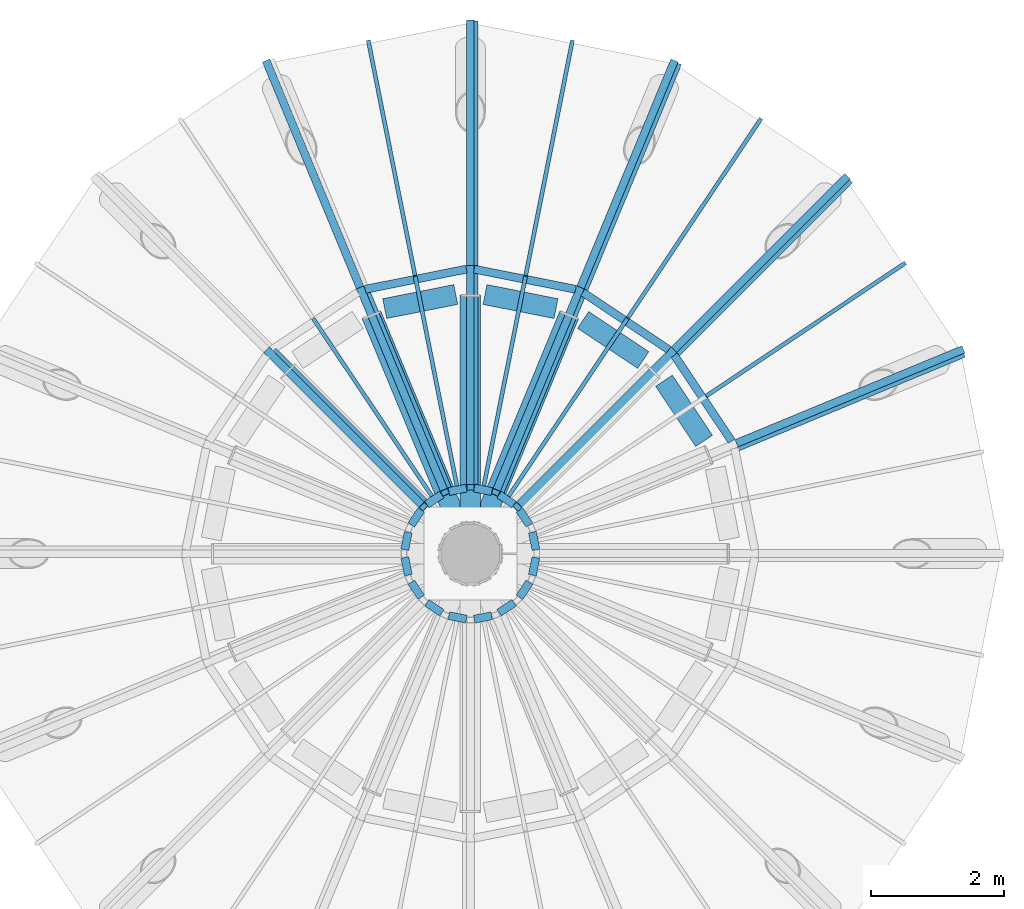
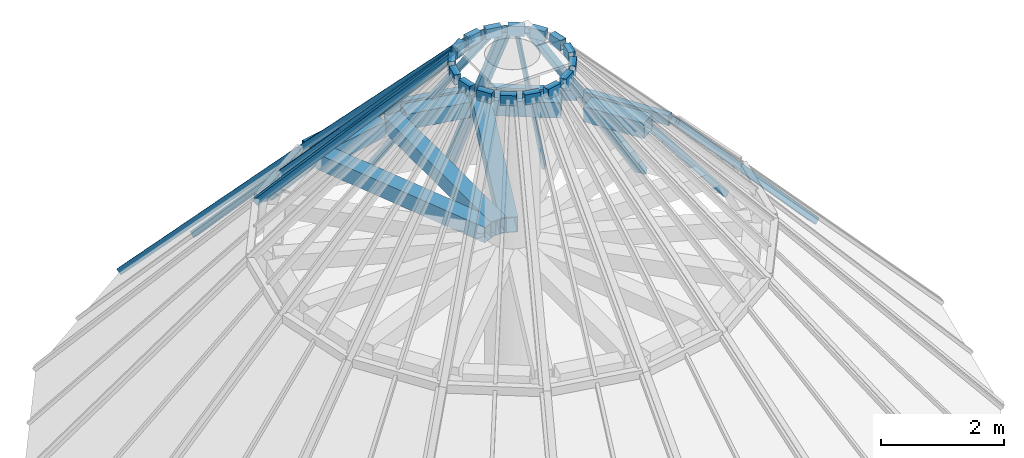
# One storey, part 3 of 5: 53 members, 22 elements without a shape of their own.
"""IFC4 building model written with IfcOpenShell, lengths in metres."""

import ifcopenshell
import ifcopenshell.guid

model = None  # the IFC model being written
_history = None  # IfcOwnerHistory: only IFC2X3 demands one
_inside = {}  # id of a spatial element -> (the spatial element, [elements in it])
_under = {}  # id of a project, library or spatial element -> (it, [spatial elements below it])
_declared = {}  # id of a project -> (the project, [libraries it declares])
_typed = {}  # id of a type object -> (the type object, [elements of that type])
_made_of = {}  # id of a material, layer set ... -> (it, [elements and type objects made of it])


def new_model(schema):
    """Start an empty IFC model of exactly this schema.

    Asked for "IFC4X3", IfcOpenShell would pick the latest addendum, in which some entities
    have other attributes; the version numbers below select the first issue.
    IFC2X3 requires an IfcOwnerHistory on every rooted entity: one is made here for all.
    """
    global model, _history
    if schema == "IFC4X3":
        model = ifcopenshell.file(schema_version=(4, 3, 0, 0))
    else:
        model = ifcopenshell.file(schema=schema)
    _inside.clear()
    _under.clear()
    _declared.clear()
    _typed.clear()
    _made_of.clear()
    _history = None
    if model.schema == "IFC2X3":
        org = make("IfcOrganization", Name="unknown")
        user = make(
            "IfcPersonAndOrganization",
            ThePerson=make("IfcPerson", FamilyName="unknown"),
            TheOrganization=org,
        )
        app = make(
            "IfcApplication",
            ApplicationDeveloper=org,
            Version="unknown",
            ApplicationFullName="unknown",
            ApplicationIdentifier="unknown",
        )
        _history = make(
            "IfcOwnerHistory",
            OwningUser=user,
            OwningApplication=app,
            ChangeAction="ADDED",
            CreationDate=0,
        )
    return model


def make(cls, **values):
    """One entity of the class cls with the attributes given. An attribute that is None is left unset."""
    return model.create_entity(
        cls, **{name: value for name, value in values.items() if value is not None}
    )


def rooted(cls, **values):
    """An entity with a GlobalId (a new one), such as an element, a storey or a relation."""
    return make(cls, GlobalId=ifcopenshell.guid.new(), OwnerHistory=_history, **values)


def si_unit(unit_type, name, prefix=None):
    """IfcSIUnit, for example si_unit("LENGTHUNIT", "METRE", prefix="MILLI")."""
    return make("IfcSIUnit", UnitType=unit_type, Prefix=prefix, Name=name)


def assignment(units):
    """IfcUnitAssignment: the units of a project."""
    return None if units is None else make("IfcUnitAssignment", Units=units)


def point(xyz):
    """IfcCartesianPoint."""
    return None if xyz is None else make("IfcCartesianPoint", Coordinates=xyz)


def direction(xyz):
    """IfcDirection."""
    return None if xyz is None else make("IfcDirection", DirectionRatios=xyz)


def frame(location, z_axis=None, x_axis=None):
    """IfcAxis2Placement3D, a coordinate frame: its origin and axes. An axis left out is left unset."""
    return make(
        "IfcAxis2Placement3D",
        Location=point(location),
        Axis=direction(z_axis),
        RefDirection=direction(x_axis),
    )


def frame_2d(location, x_axis=None):
    """IfcAxis2Placement2D, a coordinate frame in the plane: its origin and x axis."""
    return make(
        "IfcAxis2Placement2D", Location=point(location), RefDirection=direction(x_axis)
    )


def origin():
    """The frame at (0, 0, 0) with its axes left unset."""
    return frame((0.0, 0.0, 0.0))


def origin_2d():
    """The frame at (0, 0) in the plane with its x axis left unset."""
    return frame_2d((0.0, 0.0))


def place(relative_to, where):
    """IfcLocalPlacement: puts the frame where relative to a parent placement (None: the world)."""
    return make(
        "IfcLocalPlacement", PlacementRelTo=relative_to, RelativePlacement=where
    )


def context(
    kind, dimensions, precision=None, world=None, true_north=None, identifier=None
):
    """IfcGeometricRepresentationContext, for example the 3D "Model" context."""
    return make(
        "IfcGeometricRepresentationContext",
        ContextIdentifier=identifier,
        ContextType=kind,
        CoordinateSpaceDimension=dimensions,
        Precision=precision,
        WorldCoordinateSystem=world,
        TrueNorth=true_north,
    )


def subcontext(parent, identifier, kind, view, scale=None):
    """IfcGeometricRepresentationSubContext, for example "Body" below "Model"."""
    return make(
        "IfcGeometricRepresentationSubContext",
        ContextIdentifier=identifier,
        ContextType=kind,
        ParentContext=parent,
        TargetScale=scale,
        TargetView=view,
    )


def project(units=None, contexts=None):
    """IfcProject with its units and contexts."""
    return rooted(
        "IfcProject",
        Name="project",
        RepresentationContexts=contexts,
        UnitsInContext=assignment(units),
    )


def spatial(cls, under=None, at=None, **own):
    """A site, building, storey or space (cls), placed at a placement, below another one or the project."""
    s = rooted(cls, ObjectPlacement=at, **own)
    if under is not None:
        _under.setdefault(under.id(), (under, []))[1].append(s)
    return s


def profile(cls, at=None, kind="AREA", **sizes):
    """A parametric profile (cls). Its sizes go by their IFC names, for example OverallWidth=200.0."""
    return make(cls, ProfileType=kind, Position=at, **sizes)


def rectangle(**sizes):
    """IfcRectangleProfileDef."""
    return profile("IfcRectangleProfileDef", **sizes)


def hollow_rectangle(**sizes):
    """IfcRectangleHollowProfileDef."""
    return profile("IfcRectangleHollowProfileDef", **sizes)


def extrude(swept, where, along, depth):
    """IfcExtrudedAreaSolid: the profile swept, set in the frame where, extruded along a direction by depth."""
    return make(
        "IfcExtrudedAreaSolid",
        SweptArea=swept,
        Position=where,
        ExtrudedDirection=direction(along),
        Depth=depth,
    )


def shape(context_of_items, identifier, shape_type, items):
    """IfcShapeRepresentation: the items that make up one representation, for example the "Body"."""
    return make(
        "IfcShapeRepresentation",
        ContextOfItems=context_of_items,
        RepresentationIdentifier=identifier,
        RepresentationType=shape_type,
        Items=items,
    )


def material(Name=None, Category=None):
    """IfcMaterial."""
    return make("IfcMaterial", Name=Name, Category=Category)


def material_profile(
    of_material, cross_section, Name=None, Category=None, Priority=None
):
    """IfcMaterialProfile: a cross section and its material."""
    return make(
        "IfcMaterialProfile",
        Name=Name,
        Material=of_material,
        Profile=cross_section,
        Priority=Priority,
        Category=Category,
    )


def profile_set(profiles, Name=None, composite=None):
    """IfcMaterialProfileSet."""
    return make(
        "IfcMaterialProfileSet",
        Name=Name,
        MaterialProfiles=profiles,
        CompositeProfile=composite,
    )


def made_of(thing, what):
    """Note that an element or type object is made of a material, layer set ...; save() writes the relation."""
    if what is not None:
        _made_of.setdefault(what.id(), (what, []))[1].append(thing)
    return thing


def type_object(cls, material=None, **own):
    """A type object (cls), such as IfcWallType, which elements share."""
    return made_of(rooted(cls, **own), material)


def element(
    cls,
    number,
    at=None,
    inside=None,
    cuts=None,
    type_object=None,
    material=None,
    context=None,
    identifier="Body",
    shape_type=None,
    held_by="IfcProductDefinitionShape",
    body=None,
    shapes=None,
    **own,
):
    """One element of the class cls, such as IfcWall. Its Tag is "e" and its number.

    at: its placement. inside: the storey or other place that contains it. cuts: it is an
    opening in that element (IfcRelVoidsElement). A single representation is given by context,
    identifier, shape_type and body (its items); several are given by shapes. held_by: the class
    of the entity that holds the representations. save() writes the other relations.
    """
    e = rooted(cls, Tag="e%d" % number, ObjectPlacement=at, **own)
    if body is not None:
        shapes = [shape(context, identifier, shape_type, body)]
    if shapes is not None:
        e.Representation = make(held_by, Representations=shapes)
    if inside is not None:
        _inside.setdefault(inside.id(), (inside, []))[1].append(e)
    if cuts is not None:
        rooted(
            "IfcRelVoidsElement", RelatingBuildingElement=cuts, RelatedOpeningElement=e
        )
    if type_object is not None:
        _typed.setdefault(type_object.id(), (type_object, []))[1].append(e)
    return made_of(e, material)


def aggregate(whole, parts):
    """IfcRelAggregates: a whole, such as a stair, and the parts it consists of."""
    return rooted("IfcRelAggregates", RelatingObject=whole, RelatedObjects=parts)


def save(model, path):
    """Write the relations noted so far, then the file.

    IfcRelAggregates (storeys below a building ...), IfcRelContainedInSpatialStructure (elements
    in a storey), IfcRelDefinesByType, IfcRelAssociatesMaterial and IfcRelDeclares: one each for
    every whole, place, type object, material and project.
    """
    for whole, parts in _under.values():
        aggregate(whole, parts)
    for where, things in _inside.values():
        rooted(
            "IfcRelContainedInSpatialStructure",
            RelatedElements=things,
            RelatingStructure=where,
        )
    for kind, things in _typed.values():
        rooted("IfcRelDefinesByType", RelatedObjects=things, RelatingType=kind)
    for what, things in _made_of.values():
        rooted("IfcRelAssociatesMaterial", RelatedObjects=things, RelatingMaterial=what)
    for by, libraries in _declared.values():
        rooted("IfcRelDeclares", RelatingContext=by, RelatedDefinitions=libraries)
    model.write(path)


model = new_model("IFC4")

# Units and contexts
model_context = context("Model", 3, precision=1e-05, world=origin(), true_north=direction((0.0, 1.0)))
body_context = subcontext(model_context, "Body", "Model", "MODEL_VIEW")
ifc_project = project(units=[si_unit("LENGTHUNIT", "METRE"), si_unit("AREAUNIT", "SQUARE_METRE"), si_unit("VOLUMEUNIT", "CUBIC_METRE"), si_unit("PLANEANGLEUNIT", "RADIAN"), si_unit("MASSUNIT", "GRAM", prefix="KILO")], contexts=[model_context])

# Site, building, storey
site_placement = place(None, origin())
site = spatial("IfcSite", under=ifc_project, at=site_placement, CompositionType="ELEMENT")
building_placement = place(site_placement, origin())
building = spatial("IfcBuilding", under=site, at=building_placement, Name="Corvane Civic Tower", CompositionType="ELEMENT")
storey_placement = place(building_placement, frame((0.0, 0.0, 410.5)))
storey = spatial("IfcBuildingStorey", under=building, at=storey_placement, Name="Upper roof", CompositionType="ELEMENT", Elevation=410.5)

# Members
ifc_material_1 = material(Name="Steel ASTM A500 Gr C", Category="steel")
ifc_material_profile_1 = material_profile(ifc_material_1, hollow_rectangle(XDim=0.3046875, YDim=0.3046875, WallThickness=0.01171875, at=origin_2d()), Name="HSS12X12X1/2")
ifc_profile_set_1 = profile_set([ifc_material_profile_1], Name="Steel ASTM A500 Gr C")
member_type_1 = type_object("IfcMemberType", Name="CROWN HUB STRUT HSS12X12X1/2", PredefinedType="BRACE", material=ifc_profile_set_1)
for number, where, z_axis, x_axis, name in (
    (1, (0.0, 3.89990234375, 4.0), (0.0, -1.0, 0.0), (1.0, 0.0, 0.0), "Crown hub strut"),
    (2, (1.492431640625, 3.60302734375, 4.0), (-0.382697233288, -0.923873815861, 0.0), (0.923873815861, -0.382697233288, 0.0), "Crown hub strut"),
    (3, (-1.492431640625, 3.60302734375, 4.0), (0.382697233288, -0.923873815861, 0.0), (0.923873815861, 0.382697233288, 0.0), "Crown hub strut"),
):
    element("IfcMember", number, at=place(storey_placement, frame(where, z_axis=z_axis, x_axis=x_axis)), inside=storey, type_object=member_type_1, Name=name, PredefinedType="BRACE", context=body_context, shape_type="SweptSolid", body=[
        extrude(hollow_rectangle(XDim=0.3046875, YDim=0.3046875, WallThickness=0.01171875, at=origin_2d()), origin(), (0.0, 0.0, 1.0), 3.453857421875),
    ])
ifc_material_2 = material(Name="Steel ASTM A500 Gr C", Category="steel")
ifc_material_profile_2 = material_profile(ifc_material_2, hollow_rectangle(XDim=0.3046875, YDim=0.3046875, WallThickness=0.01171875, at=origin_2d()), Name="HSS12X12X1/2")
ifc_profile_set_2 = profile_set([ifc_material_profile_2], Name="Steel ASTM A500 Gr C")
member_type_2 = type_object("IfcMemberType", Name="CROWN RING CHORD HSS12X12X1/2", PredefinedType="CHORD", material=ifc_profile_set_2)
for number, where, z_axis, x_axis, name in (
    (4, (0.220703125, 3.906005859375, 4.0), (0.980829426135, -0.194868255055, 0.0), (0.194868255055, 0.980829426135, 0.0), "Crown compression ring"),
    (5, (1.69873046875, 3.5244140625, 4.0), (0.831361269695, -0.555732344974, 0.0), (0.555732344974, 0.831361269695, 0.0), "Crown compression ring"),
    (6, (2.91796875, 2.60595703125, 4.0), (0.555732344974, -0.831361269695, 0.0), (0.831361269695, 0.555732344974, 0.0), "Crown compression ring"),
    (7, (-1.291015625, 3.693359375, 4.0), (0.980829426135, 0.194868255055, 0.0), (-0.194868255055, 0.980829426135, 0.0), "Crown compression ring"),
):
    element("IfcMember", number, at=place(storey_placement, frame(where, z_axis=z_axis, x_axis=x_axis)), inside=storey, type_object=member_type_2, Name=name, PredefinedType="CHORD", context=body_context, shape_type="SweptSolid", body=[
        extrude(hollow_rectangle(XDim=0.3046875, YDim=0.3046875, WallThickness=0.01171875, at=origin_2d()), origin(), (0.0, 0.0, 1.0), 1.09130859375),
    ])

# Curtain wall, member
ifc_material_3 = material(Name="Aluminium and glass", Category="aluminium")
curtain_wall_type = type_object("IfcCurtainWallType", Name="CROWN-CW-K-FACET", PredefinedType="NOTDEFINED", material=ifc_material_3)
curtain_wall_1_placement = place(storey_placement, origin())
curtain_wall_1 = element("IfcCurtainWall", 8, at=curtain_wall_1_placement, inside=storey, type_object=curtain_wall_type, Name="Glass cone facet 1 row 7", PredefinedType="NOTDEFINED")
ifc_material_4 = material(Name="Anodised aluminium bronze", Category="aluminium")
ifc_material_profile_3 = material_profile(ifc_material_4, rectangle(XDim=0.06005859375, YDim=0.1201171875, at=origin_2d()), Name="AL 60x120")
ifc_profile_set_3 = profile_set([ifc_material_profile_3], Name="Anodised aluminium bronze")
member_type_3 = type_object("IfcMemberType", Name="CROWN-CWK-MULLION-AL60x120", PredefinedType="MULLION", material=ifc_profile_set_3)
member_1_placement = place(storey_placement, frame((-0.82275390625, 4.136474609375, 4.0), z_axis=(0.132435043802, -0.665913717929, 0.734179732387), x_axis=(0.98079188292, 0.195057125989, 0.0)))
member_1 = element("IfcMember", 9, at=member_1_placement, type_object=member_type_3, Name="Cone mullion 1.7M", PredefinedType="MULLION", context=body_context, shape_type="SweptSolid", body=[
    extrude(rectangle(XDim=0.06005859375, YDim=0.1201171875, at=origin_2d()), origin(), (0.0, 0.0, 1.0), 4.767333984375),
])

curtain_wall_2_placement = place(storey_placement, origin())
curtain_wall_2 = element("IfcCurtainWall", 10, at=curtain_wall_2_placement, inside=storey, type_object=curtain_wall_type, Name="Glass cone facet 2 row 7", PredefinedType="NOTDEFINED")
member_2_placement = place(storey_placement, frame((-2.343017578125, 3.506591796875, 4.0), z_axis=(0.37718643347, -0.564524922762, 0.734194801117), x_axis=(0.831481219823, 0.555552860745, 0.0)))
member_2 = element("IfcMember", 11, at=member_2_placement, type_object=member_type_3, Name="Cone mullion 2.7M", PredefinedType="MULLION", context=body_context, shape_type="SweptSolid", body=[
    extrude(rectangle(XDim=0.06005859375, YDim=0.1201171875, at=origin_2d()), origin(), (0.0, 0.0, 1.0), 4.76708984375),
])

curtain_wall_3_placement = place(storey_placement, origin())
curtain_wall_3 = element("IfcCurtainWall", 12, at=curtain_wall_3_placement, inside=storey, type_object=curtain_wall_type, Name="Glass cone facet 15 row 7", PredefinedType="NOTDEFINED")
member_3_placement = place(storey_placement, frame((2.343017578125, 3.506591796875, 4.0), z_axis=(-0.37718643347, -0.564524922762, 0.734194801117), x_axis=(0.831481219823, -0.555552860745, 0.0)))
member_3 = element("IfcMember", 13, at=member_3_placement, type_object=member_type_3, Name="Cone mullion 15.7M", PredefinedType="MULLION", context=body_context, shape_type="SweptSolid", body=[
    extrude(rectangle(XDim=0.06005859375, YDim=0.1201171875, at=origin_2d()), origin(), (0.0, 0.0, 1.0), 4.76708984375),
])

curtain_wall_4_placement = place(storey_placement, origin())
curtain_wall_4 = element("IfcCurtainWall", 14, at=curtain_wall_4_placement, inside=storey, type_object=curtain_wall_type, Name="Glass cone facet 16 row 7", PredefinedType="NOTDEFINED")
member_4_placement = place(storey_placement, frame((0.82275390625, 4.136474609375, 4.0), z_axis=(-0.132435043802, -0.665913717929, 0.734179732387), x_axis=(0.98079188292, -0.195057125989, 0.0)))
member_4 = element("IfcMember", 15, at=member_4_placement, type_object=member_type_3, Name="Cone mullion 16.7M", PredefinedType="MULLION", context=body_context, shape_type="SweptSolid", body=[
    extrude(rectangle(XDim=0.06005859375, YDim=0.1201171875, at=origin_2d()), origin(), (0.0, 0.0, 1.0), 4.767333984375),
])

curtain_wall_5_placement = place(storey_placement, origin())
curtain_wall_5 = element("IfcCurtainWall", 16, at=curtain_wall_5_placement, inside=storey, type_object=curtain_wall_type, Name="Glass cone facet 1 row 6", PredefinedType="NOTDEFINED")
ifc_material_5 = material(Name="Steel ASTM A500 Gr C", Category="steel")
ifc_material_profile_4 = material_profile(ifc_material_5, hollow_rectangle(XDim=0.06005859375, YDim=0.1201171875, WallThickness=0.0048828125, at=origin_2d()), Name="RHS 120x60x5")
ifc_profile_set_4 = profile_set([ifc_material_profile_4], Name="Steel ASTM A500 Gr C")
member_type_4 = type_object("IfcMemberType", Name="CROWN-CWK-MULLION-RHS120x60x5", PredefinedType="MULLION", material=ifc_profile_set_4)
member_5_placement = place(storey_placement, frame((-1.53076171875, 7.695556640625, 0.0), z_axis=(0.131093812329, -0.658995033147, 0.740634834893), x_axis=(0.980781991071, 0.195106857875, 0.0)))
member_5 = element("IfcMember", 17, at=member_5_placement, type_object=member_type_4, Name="Cone mullion 1.6M", PredefinedType="MULLION", context=body_context, shape_type="SweptSolid", body=[
    extrude(hollow_rectangle(XDim=0.06005859375, YDim=0.1201171875, WallThickness=0.0048828125, at=origin_2d()), origin(), (0.0, 0.0, 1.0), 5.40087890625),
])

curtain_wall_6_placement = place(storey_placement, origin())
curtain_wall_6 = element("IfcCurtainWall", 18, at=curtain_wall_6_placement, inside=storey, type_object=curtain_wall_type, Name="Glass cone facet 13 row 6", PredefinedType="NOTDEFINED")
member_6_placement = place(storey_placement, frame((7.40869140625, 2.973388671875, 0.0), z_axis=(-0.627354519135, -0.259911695865, 0.734079163084), x_axis=(0.382749981687, -0.923851964071, 0.0)))
member_6 = element("IfcMember", 19, at=member_6_placement, type_object=member_type_4, Name="Cone mullion 13.6J", PredefinedType="MULLION", context=body_context, shape_type="SweptSolid", body=[
    extrude(hollow_rectangle(XDim=0.06005859375, YDim=0.1201171875, WallThickness=0.0048828125, at=origin_2d()), origin(), (0.0, 0.0, 1.0), 5.448974609375),
])
aggregate(curtain_wall_6, [member_6])

# Curtain wall, members
curtain_wall_7_placement = place(storey_placement, origin())
curtain_wall_7 = element("IfcCurtainWall", 20, at=curtain_wall_7_placement, inside=storey, type_object=curtain_wall_type, Name="Glass cone facet 14 row 6", PredefinedType="NOTDEFINED")
member_7_placement = place(storey_placement, frame((6.52392578125, 4.359130859375, 0.0), z_axis=(-0.55867917926, -0.373296598619, 0.740626237802), x_axis=(0.55556931275, -0.831470227207, 0.0)))
member_7 = element("IfcMember", 21, at=member_7_placement, type_object=member_type_4, Name="Cone mullion 14.6M", PredefinedType="MULLION", context=body_context, shape_type="SweptSolid", body=[
    extrude(hollow_rectangle(XDim=0.06005859375, YDim=0.1201171875, WallThickness=0.0048828125, at=origin_2d()), origin(), (0.0, 0.0, 1.0), 5.40087890625),
])
member_8_placement = place(storey_placement, frame((5.706787109375, 5.581787109375, 0.0), z_axis=(-0.480157196441, -0.480112388939, 0.734126120427), x_axis=(0.70707378584, -0.707139774994, 0.0)))
member_8 = element("IfcMember", 22, at=member_8_placement, type_object=member_type_4, Name="Cone mullion 14.6J", PredefinedType="MULLION", context=body_context, shape_type="SweptSolid", body=[
    extrude(hollow_rectangle(XDim=0.06005859375, YDim=0.1201171875, WallThickness=0.0048828125, at=origin_2d()), origin(), (0.0, 0.0, 1.0), 5.44873046875),
])

curtain_wall_8_placement = place(storey_placement, origin())
curtain_wall_8 = element("IfcCurtainWall", 23, at=curtain_wall_8_placement, inside=storey, type_object=curtain_wall_type, Name="Glass cone facet 15 row 6", PredefinedType="NOTDEFINED")
member_9_placement = place(storey_placement, frame((4.359130859375, 6.52392578125, 0.0), z_axis=(-0.373296598619, -0.55867917926, 0.740626237802), x_axis=(0.831470227207, -0.55556931275, 0.0)))
member_9 = element("IfcMember", 24, at=member_9_placement, type_object=member_type_4, Name="Cone mullion 15.6M", PredefinedType="MULLION", context=body_context, shape_type="SweptSolid", body=[
    extrude(hollow_rectangle(XDim=0.06005859375, YDim=0.1201171875, WallThickness=0.0048828125, at=origin_2d()), origin(), (0.0, 0.0, 1.0), 5.40087890625),
])
member_10_placement = place(storey_placement, frame((3.136474609375, 7.341064453125, 0.0), z_axis=(-0.259911695865, -0.627354519135, 0.734079163084), x_axis=(0.923851964071, -0.382749981687, 0.0)))
member_10 = element("IfcMember", 25, at=member_10_placement, type_object=member_type_4, Name="Cone mullion 15.6J", PredefinedType="MULLION", context=body_context, shape_type="SweptSolid", body=[
    extrude(hollow_rectangle(XDim=0.06005859375, YDim=0.1201171875, WallThickness=0.0048828125, at=origin_2d()), origin(), (0.0, 0.0, 1.0), 5.448974609375),
])

curtain_wall_9_placement = place(storey_placement, origin())
curtain_wall_9 = element("IfcCurtainWall", 26, at=curtain_wall_9_placement, inside=storey, type_object=curtain_wall_type, Name="Glass cone facet 16 row 6", PredefinedType="NOTDEFINED")
member_11_placement = place(storey_placement, frame((1.53076171875, 7.695556640625, 0.0), z_axis=(-0.131093812329, -0.658995033147, 0.740634834893), x_axis=(0.980781991071, -0.195106857875, 0.0)))
member_11 = element("IfcMember", 27, at=member_11_placement, type_object=member_type_4, Name="Cone mullion 16.6M", PredefinedType="MULLION", context=body_context, shape_type="SweptSolid", body=[
    extrude(hollow_rectangle(XDim=0.06005859375, YDim=0.1201171875, WallThickness=0.0048828125, at=origin_2d()), origin(), (0.0, 0.0, 1.0), 5.40087890625),
])
member_12_placement = place(storey_placement, frame((0.08837890625, 7.982421875, 0.0), z_axis=(0.0, -0.679037152378, 0.734103906603), x_axis=(1.0, 0.0, 0.0)))
member_12 = element("IfcMember", 28, at=member_12_placement, type_object=member_type_4, Name="Cone mullion 16.6J", PredefinedType="MULLION", context=body_context, shape_type="SweptSolid", body=[
    extrude(hollow_rectangle(XDim=0.06005859375, YDim=0.1201171875, WallThickness=0.0048828125, at=origin_2d()), origin(), (0.0, 0.0, 1.0), 5.44873046875),
])

# Member
member_13_placement = place(storey_placement, frame((-1.55712890625, 3.990234375, 4.0), z_axis=(0.262541154367, -0.633793530974, 0.727583605065), x_axis=(0.92387165845, 0.382702441477, 0.0)))
member_13 = element("IfcMember", 29, at=member_13_placement, type_object=member_type_4, Name="Cone mullion 1.7J", PredefinedType="MULLION", context=body_context, shape_type="SweptSolid", body=[
    extrude(hollow_rectangle(XDim=0.06005859375, YDim=0.1201171875, WallThickness=0.0048828125, at=origin_2d()), origin(), (0.0, 0.0, 1.0), 4.810546875),
])

member_14_placement = place(storey_placement, frame((-2.9658203125, 3.090576171875, 4.0), z_axis=(0.485127970468, -0.485077219556, 0.727565078421), x_axis=(0.707069791843, 0.707143768595, 0.0)))
member_14 = element("IfcMember", 30, at=member_14_placement, type_object=member_type_4, Name="Cone mullion 2.7J", PredefinedType="MULLION", context=body_context, shape_type="SweptSolid", body=[
    extrude(hollow_rectangle(XDim=0.06005859375, YDim=0.1201171875, WallThickness=0.0048828125, at=origin_2d()), origin(), (0.0, 0.0, 1.0), 4.810546875),
])

member_15_placement = place(storey_placement, frame((1.72021484375, 3.922607421875, 4.0), z_axis=(-0.262493899458, -0.633801975336, 0.72759329904), x_axis=(0.923897814256, -0.382639293348, 0.0)))
member_15 = element("IfcMember", 31, at=member_15_placement, type_object=member_type_4, Name="Cone mullion 15.7J", PredefinedType="MULLION", context=body_context, shape_type="SweptSolid", body=[
    extrude(hollow_rectangle(XDim=0.06005859375, YDim=0.1201171875, WallThickness=0.0048828125, at=origin_2d()), origin(), (0.0, 0.0, 1.0), 4.810302734375),
])

member_16_placement = place(storey_placement, frame((0.08837890625, 4.282470703125, 4.0), z_axis=(0.0, -0.686018242181, 0.727584339713), x_axis=(1.0, 0.0, 0.0)))
member_16 = element("IfcMember", 32, at=member_16_placement, type_object=member_type_4, Name="Cone mullion 16.7J", PredefinedType="MULLION", context=body_context, shape_type="SweptSolid", body=[
    extrude(hollow_rectangle(XDim=0.06005859375, YDim=0.1201171875, WallThickness=0.0048828125, at=origin_2d()), origin(), (0.0, 0.0, 1.0), 4.810546875),
])

ifc_material_6 = material(Name="Steel ASTM A500 Gr C", Category="steel")
ifc_material_profile_5 = material_profile(ifc_material_6, hollow_rectangle(XDim=0.1201171875, YDim=0.1201171875, WallThickness=0.006103515625, at=origin_2d()), Name="RHS 120x120x6")
ifc_profile_set_5 = profile_set([ifc_material_profile_5], Name="Steel ASTM A500 Gr C")
member_type_5 = type_object("IfcMemberType", Name="CROWN-CWK-RIB-RHS120x120x6", PredefinedType="MULLION", material=ifc_profile_set_5)
member_17_placement = place(storey_placement, frame((0.0, 8.0, 0.0), z_axis=(0.0, -0.679037152378, 0.734103906603), x_axis=(1.0, 0.0, 0.0)))
member_17 = element("IfcMember", 33, at=member_17_placement, type_object=member_type_5, Name="Cone rib 1.6", PredefinedType="MULLION", context=body_context, shape_type="SweptSolid", body=[
    extrude(hollow_rectangle(XDim=0.1201171875, YDim=0.1201171875, WallThickness=0.006103515625, at=origin_2d()), origin(), (0.0, 0.0, 1.0), 5.44873046875),
])

# Curtain wall, member
curtain_wall_10_placement = place(storey_placement, origin())
curtain_wall_10 = element("IfcCurtainWall", 34, at=curtain_wall_10_placement, inside=storey, type_object=curtain_wall_type, Name="Glass cone facet 2 row 6", PredefinedType="NOTDEFINED")
member_18_placement = place(storey_placement, frame((-3.0615234375, 7.39111328125, 0.0), z_axis=(0.259869917235, -0.627361824332, 0.734087711031), x_axis=(0.923875293758, 0.382693665462, 0.0)))
member_18 = element("IfcMember", 35, at=member_18_placement, type_object=member_type_5, Name="Cone rib 2.6", PredefinedType="MULLION", context=body_context, shape_type="SweptSolid", body=[
    extrude(hollow_rectangle(XDim=0.1201171875, YDim=0.1201171875, WallThickness=0.006103515625, at=origin_2d()), origin(), (0.0, 0.0, 1.0), 5.448974609375),
])
aggregate(curtain_wall_10, [member_18])

# Member
member_19_placement = place(storey_placement, frame((7.39111328125, 3.0615234375, 0.0), z_axis=(-0.627361824332, -0.259869917235, 0.734087711031), x_axis=(0.382693665462, -0.923875293758, 0.0)))
member_19 = element("IfcMember", 36, at=member_19_placement, type_object=member_type_5, Name="Cone rib 14.6", PredefinedType="MULLION", context=body_context, shape_type="SweptSolid", body=[
    extrude(hollow_rectangle(XDim=0.1201171875, YDim=0.1201171875, WallThickness=0.006103515625, at=origin_2d()), origin(), (0.0, 0.0, 1.0), 5.448974609375),
])

member_20_placement = place(storey_placement, frame((5.65673828125, 5.65673828125, 0.0), z_axis=(-0.480146866845, -0.480146866845, 0.734110327211), x_axis=(0.707106781187, -0.707106781187, 0.0)))
member_20 = element("IfcMember", 37, at=member_20_placement, type_object=member_type_5, Name="Cone rib 15.6", PredefinedType="MULLION", context=body_context, shape_type="SweptSolid", body=[
    extrude(hollow_rectangle(XDim=0.1201171875, YDim=0.1201171875, WallThickness=0.006103515625, at=origin_2d()), origin(), (0.0, 0.0, 1.0), 5.44873046875),
])

member_21_placement = place(storey_placement, frame((3.0615234375, 7.39111328125, 0.0), z_axis=(-0.259869917235, -0.627361824332, 0.734087711031), x_axis=(0.923875293758, -0.382693665462, 0.0)))
member_21 = element("IfcMember", 38, at=member_21_placement, type_object=member_type_5, Name="Cone rib 16.6", PredefinedType="MULLION", context=body_context, shape_type="SweptSolid", body=[
    extrude(hollow_rectangle(XDim=0.1201171875, YDim=0.1201171875, WallThickness=0.006103515625, at=origin_2d()), origin(), (0.0, 0.0, 1.0), 5.448974609375),
])

member_22_placement = place(storey_placement, frame((0.0, 4.300048828125, 4.0), z_axis=(0.0, -0.686018242181, 0.727584339713), x_axis=(1.0, 0.0, 0.0)))
member_22 = element("IfcMember", 39, at=member_22_placement, type_object=member_type_5, Name="Cone rib 1.7", PredefinedType="MULLION", context=body_context, shape_type="SweptSolid", body=[
    extrude(hollow_rectangle(XDim=0.1201171875, YDim=0.1201171875, WallThickness=0.006103515625, at=origin_2d()), origin(), (0.0, 0.0, 1.0), 4.810546875),
])

member_23_placement = place(storey_placement, frame((-1.6455078125, 3.97265625, 4.0), z_axis=(0.262541154367, -0.633793530974, 0.727583605065), x_axis=(0.92387165845, 0.382702441477, 0.0)))
member_23 = element("IfcMember", 40, at=member_23_placement, type_object=member_type_5, Name="Cone rib 2.7", PredefinedType="MULLION", context=body_context, shape_type="SweptSolid", body=[
    extrude(hollow_rectangle(XDim=0.1201171875, YDim=0.1201171875, WallThickness=0.006103515625, at=origin_2d()), origin(), (0.0, 0.0, 1.0), 4.810546875),
])

# Curtain wall, member
curtain_wall_11_placement = place(storey_placement, origin())
curtain_wall_11 = element("IfcCurtainWall", 41, at=curtain_wall_11_placement, inside=storey, type_object=curtain_wall_type, Name="Glass cone facet 3 row 7", PredefinedType="NOTDEFINED")
member_24_placement = place(storey_placement, frame((-3.04052734375, 3.04052734375, 4.0), z_axis=(0.485089162306, -0.485089162306, 0.727582991298), x_axis=(0.707106781187, 0.707106781187, 0.0)))
member_24 = element("IfcMember", 42, at=member_24_placement, type_object=member_type_5, Name="Cone rib 3.7", PredefinedType="MULLION", context=body_context, shape_type="SweptSolid", body=[
    extrude(hollow_rectangle(XDim=0.1201171875, YDim=0.1201171875, WallThickness=0.006103515625, at=origin_2d()), origin(), (0.0, 0.0, 1.0), 4.810546875),
])

# Member
member_25_placement = place(storey_placement, frame((3.04052734375, 3.04052734375, 4.0), z_axis=(-0.485089162306, -0.485089162306, 0.727582991298), x_axis=(0.707106781187, -0.707106781187, 0.0)))
member_25 = element("IfcMember", 43, at=member_25_placement, type_object=member_type_5, Name="Cone rib 15.7", PredefinedType="MULLION", context=body_context, shape_type="SweptSolid", body=[
    extrude(hollow_rectangle(XDim=0.1201171875, YDim=0.1201171875, WallThickness=0.006103515625, at=origin_2d()), origin(), (0.0, 0.0, 1.0), 4.810546875),
])

member_26_placement = place(storey_placement, frame((1.6455078125, 3.97265625, 4.0), z_axis=(-0.262541154367, -0.633793530974, 0.727583605065), x_axis=(0.92387165845, -0.382702441477, 0.0)))
member_26 = element("IfcMember", 44, at=member_26_placement, type_object=member_type_5, Name="Cone rib 16.7", PredefinedType="MULLION", context=body_context, shape_type="SweptSolid", body=[
    extrude(hollow_rectangle(XDim=0.1201171875, YDim=0.1201171875, WallThickness=0.006103515625, at=origin_2d()), origin(), (0.0, 0.0, 1.0), 4.810546875),
])

ifc_material_7 = material(Name="Steel ASTM A500 Gr C", Category="steel")
ifc_material_profile_6 = material_profile(ifc_material_7, hollow_rectangle(XDim=0.1201171875, YDim=0.199951171875, WallThickness=0.006103515625, at=origin_2d()), Name="RHS 200x120x6")
ifc_profile_set_6 = profile_set([ifc_material_profile_6], Name="Steel ASTM A500 Gr C")
member_type_6 = type_object("IfcMemberType", Name="CROWN-CWK-RING-RHS200x120x6", PredefinedType="USERDEFINED", material=ifc_profile_set_6)
member_27_placement = place(storey_placement, frame((-0.058837890625, 4.288330078125, 4.0), z_axis=(-0.98077909027, -0.195121439339, 0.0), x_axis=(0.195121439339, -0.98077909027, 0.0)))
member_27 = element("IfcMember", 45, at=member_27_placement, type_object=member_type_6, Name="Cone ring member 1.6", ObjectType="TRANSOM", PredefinedType="USERDEFINED", context=body_context, shape_type="SweptSolid", body=[
    extrude(hollow_rectangle(XDim=0.1201171875, YDim=0.199951171875, WallThickness=0.006103515625, at=origin_2d()), origin(), (0.0, 0.0, 1.0), 1.557861328125),
])

aggregate(curtain_wall_5, [member_17, member_27, member_5])

member_28_placement = place(storey_placement, frame((3.939208984375, 1.6953125, 4.0), z_axis=(-0.555495712569, 0.831519400446, 0.0), x_axis=(-0.831519400446, -0.555495712569, 0.0)))
member_28 = element("IfcMember", 46, at=member_28_placement, type_object=member_type_6, Name="Cone ring member 14.6", ObjectType="TRANSOM", PredefinedType="USERDEFINED", context=body_context, shape_type="SweptSolid", body=[
    extrude(hollow_rectangle(XDim=0.1201171875, YDim=0.199951171875, WallThickness=0.006103515625, at=origin_2d()), origin(), (0.0, 0.0, 1.0), 1.5576171875),
])

aggregate(curtain_wall_7, [member_19, member_28, member_7, member_8])

member_29_placement = place(storey_placement, frame((2.990478515625, 3.073974609375, 4.0), z_axis=(-0.831519400446, 0.555495712569, 0.0), x_axis=(-0.555495712569, -0.831519400446, 0.0)))
member_29 = element("IfcMember", 47, at=member_29_placement, type_object=member_type_6, Name="Cone ring member 15.6", ObjectType="TRANSOM", PredefinedType="USERDEFINED", context=body_context, shape_type="SweptSolid", body=[
    extrude(hollow_rectangle(XDim=0.1201171875, YDim=0.199951171875, WallThickness=0.006103515625, at=origin_2d()), origin(), (0.0, 0.0, 1.0), 1.5576171875),
])

aggregate(curtain_wall_8, [member_20, member_29, member_9, member_10])

member_30_placement = place(storey_placement, frame((1.586669921875, 3.984375, 4.0), z_axis=(-0.98077909027, 0.195121439339, 0.0), x_axis=(-0.195121439339, -0.98077909027, 0.0)))
member_30 = element("IfcMember", 48, at=member_30_placement, type_object=member_type_6, Name="Cone ring member 16.6", ObjectType="TRANSOM", PredefinedType="USERDEFINED", context=body_context, shape_type="SweptSolid", body=[
    extrude(hollow_rectangle(XDim=0.1201171875, YDim=0.199951171875, WallThickness=0.006103515625, at=origin_2d()), origin(), (0.0, 0.0, 1.0), 1.557861328125),
])

aggregate(curtain_wall_9, [member_21, member_30, member_11, member_12])

member_31_placement = place(storey_placement, frame((-0.058837890625, 0.98828125, 7.5), z_axis=(-0.980754121428, -0.195246903436, 0.0), x_axis=(0.195246903436, -0.980754121428, 0.0)))
member_31 = element("IfcMember", 49, at=member_31_placement, type_object=member_type_6, Name="Cone ring member 1.7", ObjectType="TRANSOM", PredefinedType="USERDEFINED", context=body_context, shape_type="SweptSolid", body=[
    extrude(hollow_rectangle(XDim=0.1201171875, YDim=0.199951171875, WallThickness=0.006103515625, at=origin_2d()), origin(), (0.0, 0.0, 1.0), 0.27001953125),
])

aggregate(curtain_wall_1, [member_22, member_31, member_1, member_13])

member_32_placement = place(storey_placement, frame((-0.4326171875, 0.890380859375, 7.5), z_axis=(-0.831493087304, -0.55553509859, 0.0), x_axis=(0.55553509859, -0.831493087304, 0.0)))
member_32 = element("IfcMember", 50, at=member_32_placement, type_object=member_type_6, Name="Cone ring member 2.7", ObjectType="TRANSOM", PredefinedType="USERDEFINED", context=body_context, shape_type="SweptSolid", body=[
    extrude(hollow_rectangle(XDim=0.1201171875, YDim=0.199951171875, WallThickness=0.006103515625, at=origin_2d()), origin(), (0.0, 0.0, 1.0), 0.269775390625),
])

aggregate(curtain_wall_2, [member_23, member_32, member_2, member_14])

member_33_placement = place(storey_placement, frame((-0.740478515625, 0.656982421875, 7.5), z_axis=(-0.55553509859, -0.831493087304, 0.0), x_axis=(0.831493087304, -0.55553509859, 0.0)))
member_33 = element("IfcMember", 51, at=member_33_placement, type_object=member_type_6, Name="Cone ring member 3.7", ObjectType="TRANSOM", PredefinedType="USERDEFINED", context=body_context, shape_type="SweptSolid", body=[
    extrude(hollow_rectangle(XDim=0.1201171875, YDim=0.199951171875, WallThickness=0.006103515625, at=origin_2d()), origin(), (0.0, 0.0, 1.0), 0.269775390625),
])

aggregate(curtain_wall_11, [member_24, member_33])

# Curtain wall, member
curtain_wall_12_placement = place(storey_placement, origin())
curtain_wall_12 = element("IfcCurtainWall", 52, at=curtain_wall_12_placement, inside=storey, type_object=curtain_wall_type, Name="Glass cone facet 4 row 7", PredefinedType="NOTDEFINED")
member_34_placement = place(storey_placement, frame((-0.935546875, 0.32373046875, 7.5), z_axis=(-0.195246903436, -0.980754121428, 0.0), x_axis=(0.980754121428, -0.195246903436, 0.0)))
member_34 = element("IfcMember", 53, at=member_34_placement, type_object=member_type_6, Name="Cone ring member 4.7", ObjectType="TRANSOM", PredefinedType="USERDEFINED", context=body_context, shape_type="SweptSolid", body=[
    extrude(hollow_rectangle(XDim=0.1201171875, YDim=0.199951171875, WallThickness=0.006103515625, at=origin_2d()), origin(), (0.0, 0.0, 1.0), 0.27001953125),
])
aggregate(curtain_wall_12, [member_34])

curtain_wall_13_placement = place(storey_placement, origin())
curtain_wall_13 = element("IfcCurtainWall", 54, at=curtain_wall_13_placement, inside=storey, type_object=curtain_wall_type, Name="Glass cone facet 5 row 7", PredefinedType="NOTDEFINED")
member_35_placement = place(storey_placement, frame((-0.98828125, -0.058837890625, 7.5), z_axis=(0.195246903436, -0.980754121428, 0.0), x_axis=(0.980754121428, 0.195246903436, 0.0)))
member_35 = element("IfcMember", 55, at=member_35_placement, type_object=member_type_6, Name="Cone ring member 5.7", ObjectType="TRANSOM", PredefinedType="USERDEFINED", context=body_context, shape_type="SweptSolid", body=[
    extrude(hollow_rectangle(XDim=0.1201171875, YDim=0.199951171875, WallThickness=0.006103515625, at=origin_2d()), origin(), (0.0, 0.0, 1.0), 0.27001953125),
])
aggregate(curtain_wall_13, [member_35])

curtain_wall_14_placement = place(storey_placement, origin())
curtain_wall_14 = element("IfcCurtainWall", 56, at=curtain_wall_14_placement, inside=storey, type_object=curtain_wall_type, Name="Glass cone facet 6 row 7", PredefinedType="NOTDEFINED")
member_36_placement = place(storey_placement, frame((-0.890380859375, -0.4326171875, 7.5), z_axis=(0.55553509859, -0.831493087304, 0.0), x_axis=(0.831493087304, 0.55553509859, 0.0)))
member_36 = element("IfcMember", 57, at=member_36_placement, type_object=member_type_6, Name="Cone ring member 6.7", ObjectType="TRANSOM", PredefinedType="USERDEFINED", context=body_context, shape_type="SweptSolid", body=[
    extrude(hollow_rectangle(XDim=0.1201171875, YDim=0.199951171875, WallThickness=0.006103515625, at=origin_2d()), origin(), (0.0, 0.0, 1.0), 0.269775390625),
])
aggregate(curtain_wall_14, [member_36])

curtain_wall_15_placement = place(storey_placement, origin())
curtain_wall_15 = element("IfcCurtainWall", 58, at=curtain_wall_15_placement, inside=storey, type_object=curtain_wall_type, Name="Glass cone facet 7 row 7", PredefinedType="NOTDEFINED")
member_37_placement = place(storey_placement, frame((-0.656982421875, -0.740478515625, 7.5), z_axis=(0.831493087304, -0.55553509859, 0.0), x_axis=(0.55553509859, 0.831493087304, 0.0)))
member_37 = element("IfcMember", 59, at=member_37_placement, type_object=member_type_6, Name="Cone ring member 7.7", ObjectType="TRANSOM", PredefinedType="USERDEFINED", context=body_context, shape_type="SweptSolid", body=[
    extrude(hollow_rectangle(XDim=0.1201171875, YDim=0.199951171875, WallThickness=0.006103515625, at=origin_2d()), origin(), (0.0, 0.0, 1.0), 0.269775390625),
])
aggregate(curtain_wall_15, [member_37])

curtain_wall_16_placement = place(storey_placement, origin())
curtain_wall_16 = element("IfcCurtainWall", 60, at=curtain_wall_16_placement, inside=storey, type_object=curtain_wall_type, Name="Glass cone facet 8 row 7", PredefinedType="NOTDEFINED")
member_38_placement = place(storey_placement, frame((-0.32373046875, -0.935546875, 7.5), z_axis=(0.980754121428, -0.195246903436, 0.0), x_axis=(0.195246903436, 0.980754121428, 0.0)))
member_38 = element("IfcMember", 61, at=member_38_placement, type_object=member_type_6, Name="Cone ring member 8.7", ObjectType="TRANSOM", PredefinedType="USERDEFINED", context=body_context, shape_type="SweptSolid", body=[
    extrude(hollow_rectangle(XDim=0.1201171875, YDim=0.199951171875, WallThickness=0.006103515625, at=origin_2d()), origin(), (0.0, 0.0, 1.0), 0.27001953125),
])
aggregate(curtain_wall_16, [member_38])

curtain_wall_17_placement = place(storey_placement, origin())
curtain_wall_17 = element("IfcCurtainWall", 62, at=curtain_wall_17_placement, inside=storey, type_object=curtain_wall_type, Name="Glass cone facet 9 row 7", PredefinedType="NOTDEFINED")
member_39_placement = place(storey_placement, frame((0.058837890625, -0.98828125, 7.5), z_axis=(0.980754121428, 0.195246903436, 0.0), x_axis=(-0.195246903436, 0.980754121428, 0.0)))
member_39 = element("IfcMember", 63, at=member_39_placement, type_object=member_type_6, Name="Cone ring member 9.7", ObjectType="TRANSOM", PredefinedType="USERDEFINED", context=body_context, shape_type="SweptSolid", body=[
    extrude(hollow_rectangle(XDim=0.1201171875, YDim=0.199951171875, WallThickness=0.006103515625, at=origin_2d()), origin(), (0.0, 0.0, 1.0), 0.27001953125),
])
aggregate(curtain_wall_17, [member_39])

curtain_wall_18_placement = place(storey_placement, origin())
curtain_wall_18 = element("IfcCurtainWall", 64, at=curtain_wall_18_placement, inside=storey, type_object=curtain_wall_type, Name="Glass cone facet 10 row 7", PredefinedType="NOTDEFINED")
member_40_placement = place(storey_placement, frame((0.4326171875, -0.890380859375, 7.5), z_axis=(0.831493087304, 0.55553509859, 0.0), x_axis=(-0.55553509859, 0.831493087304, 0.0)))
member_40 = element("IfcMember", 65, at=member_40_placement, type_object=member_type_6, Name="Cone ring member 10.7", ObjectType="TRANSOM", PredefinedType="USERDEFINED", context=body_context, shape_type="SweptSolid", body=[
    extrude(hollow_rectangle(XDim=0.1201171875, YDim=0.199951171875, WallThickness=0.006103515625, at=origin_2d()), origin(), (0.0, 0.0, 1.0), 0.269775390625),
])
aggregate(curtain_wall_18, [member_40])

curtain_wall_19_placement = place(storey_placement, origin())
curtain_wall_19 = element("IfcCurtainWall", 66, at=curtain_wall_19_placement, inside=storey, type_object=curtain_wall_type, Name="Glass cone facet 11 row 7", PredefinedType="NOTDEFINED")
member_41_placement = place(storey_placement, frame((0.740478515625, -0.656982421875, 7.5), z_axis=(0.55553509859, 0.831493087304, 0.0), x_axis=(-0.831493087304, 0.55553509859, 0.0)))
member_41 = element("IfcMember", 67, at=member_41_placement, type_object=member_type_6, Name="Cone ring member 11.7", ObjectType="TRANSOM", PredefinedType="USERDEFINED", context=body_context, shape_type="SweptSolid", body=[
    extrude(hollow_rectangle(XDim=0.1201171875, YDim=0.199951171875, WallThickness=0.006103515625, at=origin_2d()), origin(), (0.0, 0.0, 1.0), 0.269775390625),
])
aggregate(curtain_wall_19, [member_41])

curtain_wall_20_placement = place(storey_placement, origin())
curtain_wall_20 = element("IfcCurtainWall", 68, at=curtain_wall_20_placement, inside=storey, type_object=curtain_wall_type, Name="Glass cone facet 12 row 7", PredefinedType="NOTDEFINED")
member_42_placement = place(storey_placement, frame((0.935546875, -0.32373046875, 7.5), z_axis=(0.195246903436, 0.980754121428, 0.0), x_axis=(-0.980754121428, 0.195246903436, 0.0)))
member_42 = element("IfcMember", 69, at=member_42_placement, type_object=member_type_6, Name="Cone ring member 12.7", ObjectType="TRANSOM", PredefinedType="USERDEFINED", context=body_context, shape_type="SweptSolid", body=[
    extrude(hollow_rectangle(XDim=0.1201171875, YDim=0.199951171875, WallThickness=0.006103515625, at=origin_2d()), origin(), (0.0, 0.0, 1.0), 0.27001953125),
])
aggregate(curtain_wall_20, [member_42])

curtain_wall_21_placement = place(storey_placement, origin())
curtain_wall_21 = element("IfcCurtainWall", 70, at=curtain_wall_21_placement, inside=storey, type_object=curtain_wall_type, Name="Glass cone facet 13 row 7", PredefinedType="NOTDEFINED")
member_43_placement = place(storey_placement, frame((0.98828125, 0.058837890625, 7.5), z_axis=(-0.195246903436, 0.980754121428, 0.0), x_axis=(-0.980754121428, -0.195246903436, 0.0)))
member_43 = element("IfcMember", 71, at=member_43_placement, type_object=member_type_6, Name="Cone ring member 13.7", ObjectType="TRANSOM", PredefinedType="USERDEFINED", context=body_context, shape_type="SweptSolid", body=[
    extrude(hollow_rectangle(XDim=0.1201171875, YDim=0.199951171875, WallThickness=0.006103515625, at=origin_2d()), origin(), (0.0, 0.0, 1.0), 0.27001953125),
])
aggregate(curtain_wall_21, [member_43])

curtain_wall_22_placement = place(storey_placement, origin())
curtain_wall_22 = element("IfcCurtainWall", 72, at=curtain_wall_22_placement, inside=storey, type_object=curtain_wall_type, Name="Glass cone facet 14 row 7", PredefinedType="NOTDEFINED")
member_44_placement = place(storey_placement, frame((0.890380859375, 0.4326171875, 7.5), z_axis=(-0.55553509859, 0.831493087304, 0.0), x_axis=(-0.831493087304, -0.55553509859, 0.0)))
member_44 = element("IfcMember", 73, at=member_44_placement, type_object=member_type_6, Name="Cone ring member 14.7", ObjectType="TRANSOM", PredefinedType="USERDEFINED", context=body_context, shape_type="SweptSolid", body=[
    extrude(hollow_rectangle(XDim=0.1201171875, YDim=0.199951171875, WallThickness=0.006103515625, at=origin_2d()), origin(), (0.0, 0.0, 1.0), 0.269775390625),
])
aggregate(curtain_wall_22, [member_44])

# Member
member_45_placement = place(storey_placement, frame((0.656982421875, 0.740478515625, 7.5), z_axis=(-0.831493087304, 0.55553509859, 0.0), x_axis=(-0.55553509859, -0.831493087304, 0.0)))
member_45 = element("IfcMember", 74, at=member_45_placement, type_object=member_type_6, Name="Cone ring member 15.7", ObjectType="TRANSOM", PredefinedType="USERDEFINED", context=body_context, shape_type="SweptSolid", body=[
    extrude(hollow_rectangle(XDim=0.1201171875, YDim=0.199951171875, WallThickness=0.006103515625, at=origin_2d()), origin(), (0.0, 0.0, 1.0), 0.269775390625),
])

aggregate(curtain_wall_3, [member_25, member_45, member_3, member_15])

member_46_placement = place(storey_placement, frame((0.32373046875, 0.935546875, 7.5), z_axis=(-0.980754121428, 0.195246903436, 0.0), x_axis=(-0.195246903436, -0.980754121428, 0.0)))
member_46 = element("IfcMember", 75, at=member_46_placement, type_object=member_type_6, Name="Cone ring member 16.7", ObjectType="TRANSOM", PredefinedType="USERDEFINED", context=body_context, shape_type="SweptSolid", body=[
    extrude(hollow_rectangle(XDim=0.1201171875, YDim=0.199951171875, WallThickness=0.006103515625, at=origin_2d()), origin(), (0.0, 0.0, 1.0), 0.27001953125),
])

aggregate(curtain_wall_4, [member_26, member_46, member_4, member_16])

save(model, "model.ifc")
